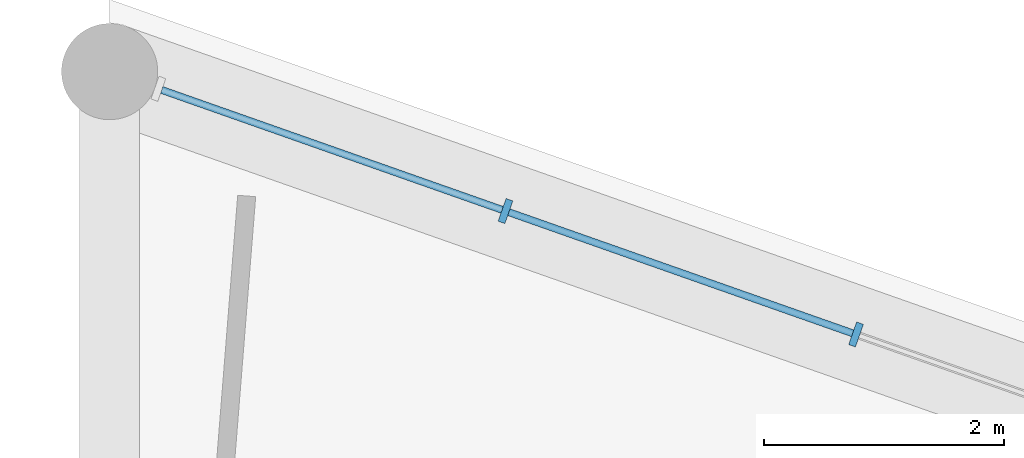
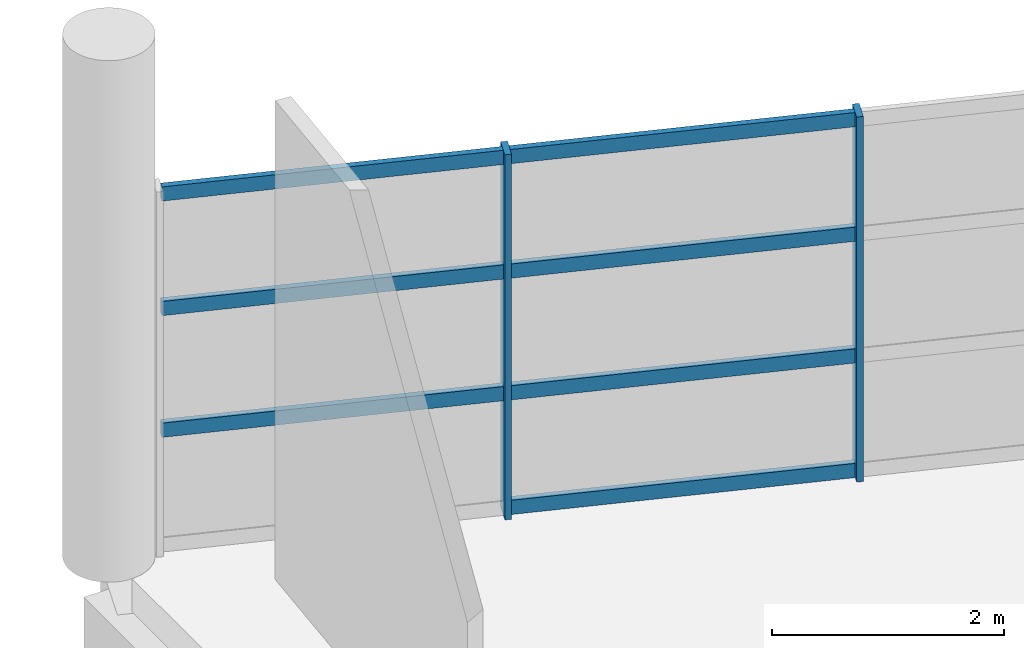
# One storey, part 90 of 271: 9 members, 1 element without a shape of its own.
"""IFC4 building model written with IfcOpenShell, lengths in metres."""

from ifc_helpers import new_model, si_unit, direction, frame, origin, origin_2d, place, context, subcontext, project, spatial, rectangle, extrude, material, layer, layer_set, material_profile, profile_set, type_object, element, aggregate, save


model = new_model("IFC4")

# Units and contexts
model_context = context("Model", 3, precision=1e-05, world=origin(), true_north=direction((0.0, 1.0)))
body_context = subcontext(model_context, "Body", "Model", "MODEL_VIEW")
ifc_project = project(units=[si_unit("LENGTHUNIT", "METRE"), si_unit("AREAUNIT", "SQUARE_METRE"), si_unit("VOLUMEUNIT", "CUBIC_METRE"), si_unit("PLANEANGLEUNIT", "RADIAN"), si_unit("MASSUNIT", "GRAM", prefix="KILO")], contexts=[model_context])

# Site, building, storey
site_placement = place(None, origin())
site = spatial("IfcSite", under=ifc_project, at=site_placement, CompositionType="ELEMENT")
building_placement = place(site_placement, origin())
building = spatial("IfcBuilding", under=site, at=building_placement, Name="Meseta Stadium", CompositionType="ELEMENT")
storey_placement = place(building_placement, frame((0.0, 0.0, 6.5)))
storey = spatial("IfcBuildingStorey", under=building, at=storey_placement, Name="L01", CompositionType="ELEMENT", Elevation=6.5)

# Curtain wall, members
ifc_material_1 = material(Name="Aluminium", Category="aluminium")
ifc_layer = layer(ifc_material_1, 0.199951171875)
ifc_layer_set = layer_set([ifc_layer], Name="Ring shopfront curtain wall")
curtain_wall_type = type_object("IfcCurtainWallType", Name="Ring shopfront curtain wall", PredefinedType="NOTDEFINED", material=ifc_layer_set)
curtain_wall_placement = place(storey_placement, origin())
curtain_wall = element("IfcCurtainWall", 1, at=curtain_wall_placement, inside=storey, type_object=curtain_wall_type, Name="Ring glazing L01 F17", PredefinedType="NOTDEFINED")
ifc_material_2 = material(Name="Aluminium", Category="aluminium")
ifc_material_profile_1 = material_profile(ifc_material_2, rectangle(XDim=0.199951171875, YDim=0.06005859375, at=origin_2d()), Name="CW 200x60")
ifc_profile_set_1 = profile_set([ifc_material_profile_1], Name="Aluminium")
member_type_1 = type_object("IfcMemberType", Name="Ring CW mullion 60x200", PredefinedType="MULLION", material=ifc_profile_set_1)
member_1_placement = place(storey_placement, frame((13.87548828125, 115.21337890625, 0.0), z_axis=(0.0, 0.0, 1.0), x_axis=(-0.332174330154, -0.943218009999, 0.0)))
member_1 = element("IfcMember", 2, at=member_1_placement, type_object=member_type_1, Name="CWR1 mullion 4", PredefinedType="MULLION", context=body_context, shape_type="SweptSolid", body=[
    extrude(rectangle(XDim=0.199951171875, YDim=0.06005859375, at=origin_2d()), origin(), (0.0, 0.0, 1.0), 3.85009765625),
])
member_2_placement = place(storey_placement, frame((10.959716796875, 116.240234375, 0.0), z_axis=(0.0, 0.0, 1.0), x_axis=(-0.332174330154, -0.943218009999, 0.0)))
member_2 = element("IfcMember", 3, at=member_2_placement, type_object=member_type_1, Name="CWR1 mullion 5", PredefinedType="MULLION", context=body_context, shape_type="SweptSolid", body=[
    extrude(rectangle(XDim=0.199951171875, YDim=0.06005859375, at=origin_2d()), origin(), (0.0, 0.0, 1.0), 3.85009765625),
])
ifc_material_3 = material(Name="Aluminium", Category="aluminium")
ifc_material_profile_2 = material_profile(ifc_material_3, rectangle(XDim=0.06005859375, YDim=0.14990234375, at=origin_2d()), Name="CW 60x150")
ifc_profile_set_2 = profile_set([ifc_material_profile_2], Name="Aluminium")
member_type_2 = type_object("IfcMemberType", Name="Ring CW transom 60x150", PredefinedType="USERDEFINED", material=ifc_profile_set_2)
member_3_placement = place(storey_placement, frame((13.84716796875, 115.223388671875, 0.074951171875), z_axis=(-0.943225032885, 0.332154387808, 0.0), x_axis=(-0.332154387808, -0.943225032885, 0.0)))
member_3 = element("IfcMember", 4, at=member_3_placement, type_object=member_type_2, Name="CWR1 transom 4.1", ObjectType="TRANSOM", PredefinedType="USERDEFINED", context=body_context, shape_type="SweptSolid", body=[
    extrude(rectangle(XDim=0.06005859375, YDim=0.14990234375, at=origin_2d()), origin(), (0.0, 0.0, 1.0), 3.03125),
])
member_4_placement = place(storey_placement, frame((13.84716796875, 115.223388671875, 1.283447265625), z_axis=(-0.943225032885, 0.332154387808, 0.0), x_axis=(-0.332154387808, -0.943225032885, 0.0)))
member_4 = element("IfcMember", 5, at=member_4_placement, type_object=member_type_2, Name="CWR1 transom 4.2", ObjectType="TRANSOM", PredefinedType="USERDEFINED", context=body_context, shape_type="SweptSolid", body=[
    extrude(rectangle(XDim=0.06005859375, YDim=0.14990234375, at=origin_2d()), origin(), (0.0, 0.0, 1.0), 3.03125),
])
member_5_placement = place(storey_placement, frame((13.84716796875, 115.223388671875, 2.566650390625), z_axis=(-0.943225032885, 0.332154387808, 0.0), x_axis=(-0.332154387808, -0.943225032885, 0.0)))
member_5 = element("IfcMember", 6, at=member_5_placement, type_object=member_type_2, Name="CWR1 transom 4.3", ObjectType="TRANSOM", PredefinedType="USERDEFINED", context=body_context, shape_type="SweptSolid", body=[
    extrude(rectangle(XDim=0.06005859375, YDim=0.14990234375, at=origin_2d()), origin(), (0.0, 0.0, 1.0), 3.03125),
])
member_6_placement = place(storey_placement, frame((13.84716796875, 115.223388671875, 3.77490234375), z_axis=(-0.943225032885, 0.332154387808, 0.0), x_axis=(-0.332154387808, -0.943225032885, 0.0)))
member_6 = element("IfcMember", 7, at=member_6_placement, type_object=member_type_2, Name="CWR1 transom 4.4", ObjectType="TRANSOM", PredefinedType="USERDEFINED", context=body_context, shape_type="SweptSolid", body=[
    extrude(rectangle(XDim=0.06005859375, YDim=0.14990234375, at=origin_2d()), origin(), (0.0, 0.0, 1.0), 3.03125),
])
member_7_placement = place(storey_placement, frame((10.931396484375, 116.250244140625, 1.283447265625), z_axis=(-0.943228878245, 0.332143467863, 0.0), x_axis=(-0.332143467863, -0.943228878245, 0.0)))
member_7 = element("IfcMember", 8, at=member_7_placement, type_object=member_type_2, Name="CWR1 transom 5.2", ObjectType="TRANSOM", PredefinedType="USERDEFINED", context=body_context, shape_type="SweptSolid", body=[
    extrude(rectangle(XDim=0.06005859375, YDim=0.14990234375, at=origin_2d()), origin(), (0.0, 0.0, 1.0), 3.001220703125),
])
member_8_placement = place(storey_placement, frame((10.931396484375, 116.250244140625, 2.566650390625), z_axis=(-0.943228878245, 0.332143467863, 0.0), x_axis=(-0.332143467863, -0.943228878245, 0.0)))
member_8 = element("IfcMember", 9, at=member_8_placement, type_object=member_type_2, Name="CWR1 transom 5.3", ObjectType="TRANSOM", PredefinedType="USERDEFINED", context=body_context, shape_type="SweptSolid", body=[
    extrude(rectangle(XDim=0.06005859375, YDim=0.14990234375, at=origin_2d()), origin(), (0.0, 0.0, 1.0), 3.001220703125),
])
member_9_placement = place(storey_placement, frame((10.931396484375, 116.250244140625, 3.77490234375), z_axis=(-0.943228878245, 0.332143467863, 0.0), x_axis=(-0.332143467863, -0.943228878245, 0.0)))
member_9 = element("IfcMember", 10, at=member_9_placement, type_object=member_type_2, Name="CWR1 transom 5.4", ObjectType="TRANSOM", PredefinedType="USERDEFINED", context=body_context, shape_type="SweptSolid", body=[
    extrude(rectangle(XDim=0.06005859375, YDim=0.14990234375, at=origin_2d()), origin(), (0.0, 0.0, 1.0), 3.001220703125),
])
aggregate(curtain_wall, [member_1, member_2, member_3, member_4, member_5, member_6, member_7, member_8, member_9])

save(model, "model.ifc")
